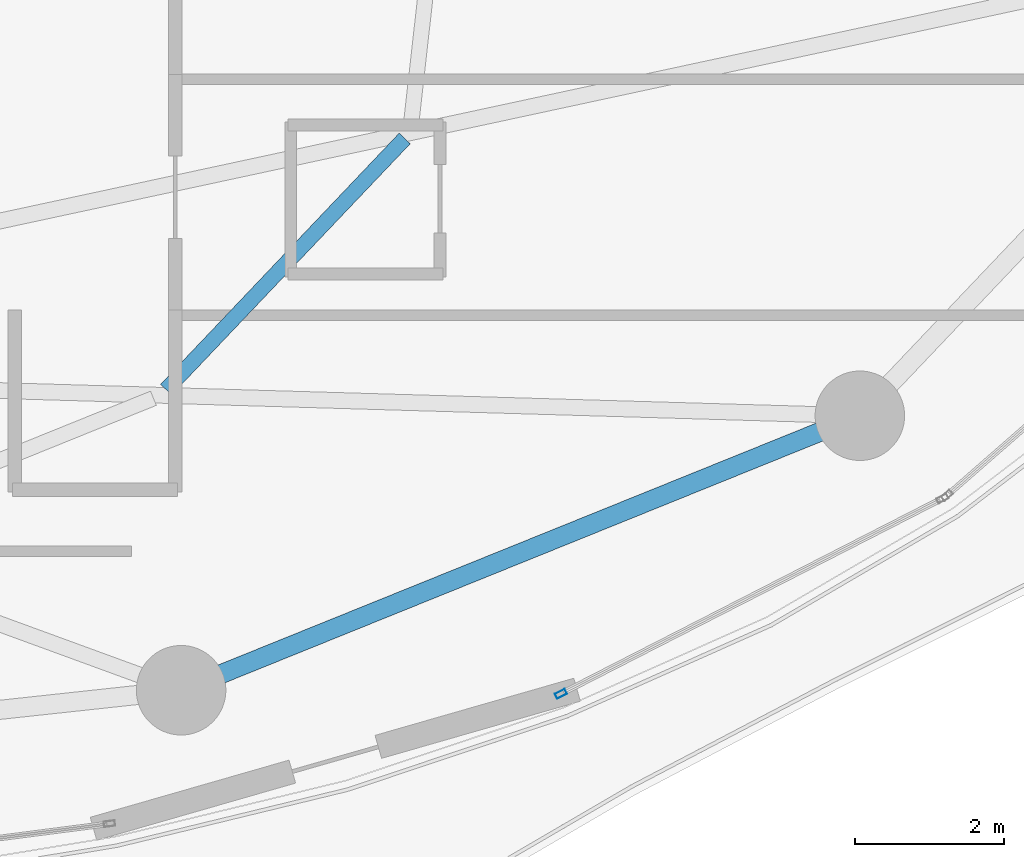
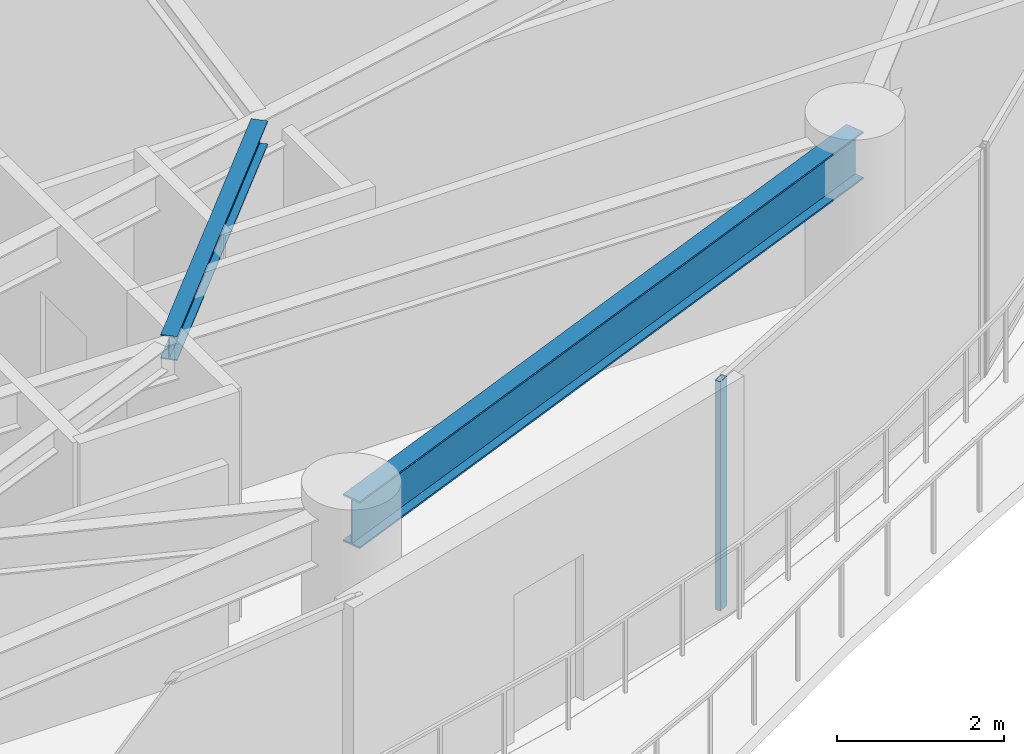
# One storey, part 11 of 31: 2 beams, 1 member, 1 element without a shape of its own.
"""IFC4 building model written with IfcOpenShell, lengths in metres."""

from ifc_helpers import new_model, si_unit, direction, frame, origin, origin_2d, place, context, subcontext, project, spatial, hollow_rectangle, i_section, extrude, material, layer, layer_set, material_profile, profile_set, type_object, element, aggregate, save


model = new_model("IFC4")

# Units and contexts
model_context = context("Model", 3, precision=1e-05, world=origin(), true_north=direction((0.0, 1.0)))
body_context = subcontext(model_context, "Body", "Model", "MODEL_VIEW")
ifc_project = project(units=[si_unit("LENGTHUNIT", "METRE"), si_unit("AREAUNIT", "SQUARE_METRE"), si_unit("VOLUMEUNIT", "CUBIC_METRE"), si_unit("PLANEANGLEUNIT", "RADIAN"), si_unit("MASSUNIT", "GRAM", prefix="KILO")], contexts=[model_context])

# Site, building, storey
site_placement = place(None, origin())
site = spatial("IfcSite", under=ifc_project, at=site_placement, CompositionType="ELEMENT")
building_placement = place(site_placement, origin())
building = spatial("IfcBuilding", under=site, at=building_placement, Name="Kazevale Care Tower and Concert Hall", CompositionType="ELEMENT")
storey_placement = place(building_placement, frame((0.0, 0.0, 124.199951171875)))
storey = spatial("IfcBuildingStorey", under=building, at=storey_placement, Name="L32", CompositionType="ELEMENT", Elevation=124.199951171875)

# Curtain wall, member
ifc_material_1 = material(Name="Aluminium 6063-T6 and Low-E Glass", Category="aluminium")
ifc_layer = layer(ifc_material_1, 0.179931640625)
ifc_layer_set = layer_set([ifc_layer], Name="Aluminium 6063-T6 and Low-E Glass")
curtain_wall_type = type_object("IfcCurtainWallType", Name="Sheltered Concave Balcony Curtain Wall CW-5", PredefinedType="NOTDEFINED", material=ifc_layer_set)
curtain_wall_placement = place(storey_placement, origin())
curtain_wall = element("IfcCurtainWall", 1, at=curtain_wall_placement, inside=storey, type_object=curtain_wall_type, Name="cw:L32:f03", PredefinedType="NOTDEFINED")
ifc_material_2 = material(Name="Aluminium 6063-T6", Category="aluminium")
ifc_material_profile_1 = material_profile(ifc_material_2, hollow_rectangle(XDim=0.074951171875, YDim=0.14990234375, WallThickness=0.00390625, at=origin_2d()), Name="ALU75x150x4")
ifc_profile_set_1 = profile_set([ifc_material_profile_1], Name="Aluminium 6063-T6")
member_type = type_object("IfcMemberType", Name="CW-5 Mullion ALU75x150x4", PredefinedType="MULLION", material=ifc_profile_set_1)
member_placement = place(storey_placement, frame((60.822265625, 19.26220703125, 0.0), z_axis=(0.0, 0.0, 1.0), x_axis=(0.455713236575, -0.890126646051, 0.0)))
member = element("IfcMember", 2, at=member_placement, type_object=member_type, Name="CW-5 mullion 2", PredefinedType="MULLION", context=body_context, shape_type="SweptSolid", body=[
    extrude(hollow_rectangle(XDim=0.074951171875, YDim=0.14990234375, WallThickness=0.00390625, at=origin_2d()), origin(), (0.0, 0.0, 1.0), 3.360107421875),
])
aggregate(curtain_wall, [member])

# Beams
ifc_material_3 = material(Name="Steel ASTM A572 Gr 50", Category="steel")
ifc_material_profile_2 = material_profile(ifc_material_3, i_section(OverallWidth=0.205078125, OverallDepth=0.35400390625, WebThickness=0.009521484375, FlangeThickness=0.016845703125, at=origin_2d()), Name="W360x79")
ifc_profile_set_2 = profile_set([ifc_material_profile_2], Name="Steel ASTM A572 Gr 50")
beam_type_1 = type_object("IfcBeamType", Name="Secondary Floor Joist W360x79", PredefinedType="JOIST", material=ifc_profile_set_2)
beam_1_placement = place(storey_placement, frame((55.529052734375, 23.341064453125, 3.18310546875), z_axis=(0.688792288395, 0.724958746032, 0.0), x_axis=(-0.724958746032, 0.688792288395, 0.0)))
element("IfcBeam", 3, at=beam_1_placement, inside=storey, type_object=beam_type_1, Name="beam:L32:joist:15", PredefinedType="JOIST", context=body_context, shape_type="SweptSolid", body=[
    extrude(i_section(OverallWidth=0.205078125, OverallDepth=0.35400390625, WebThickness=0.009521484375, FlangeThickness=0.016845703125, at=origin_2d()), origin(), (0.0, 0.0, 1.0), 4.644287109375),
])
ifc_material_profile_3 = material_profile(ifc_material_3, i_section(OverallWidth=0.256103515625, OverallDepth=0.693115234375, WebThickness=0.014404296875, FlangeThickness=0.023681640625, at=origin_2d()), Name="W690x170")
ifc_profile_set_3 = profile_set([ifc_material_profile_3], Name="Steel ASTM A572 Gr 50")
beam_type_2 = type_object("IfcBeamType", Name="Waist Ring Beam W690x170", PredefinedType="BEAM", material=ifc_profile_set_3)
beam_2_placement = place(storey_placement, frame((55.72998046875, 19.31005859375, 3.013427734375), z_axis=(0.927068687828, 0.374891515041, 0.0), x_axis=(-0.374891515041, 0.927068687828, 0.0)))
element("IfcBeam", 4, at=beam_2_placement, inside=storey, type_object=beam_type_2, Name="beam:L32:ring:14", PredefinedType="BEAM", context=body_context, shape_type="SweptSolid", body=[
    extrude(i_section(OverallWidth=0.256103515625, OverallDepth=0.693115234375, WebThickness=0.014404296875, FlangeThickness=0.023681640625, at=origin_2d()), origin(), (0.0, 0.0, 1.0), 9.81591796875),
])

save(model, "model.ifc")
